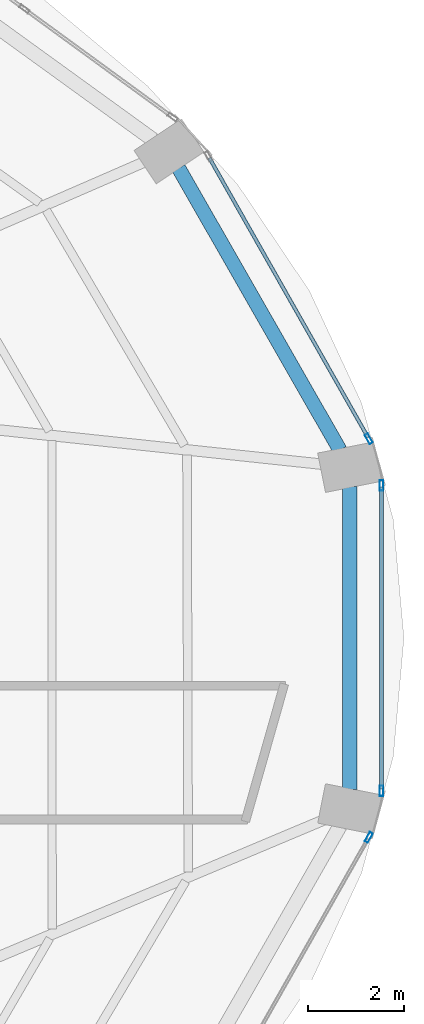
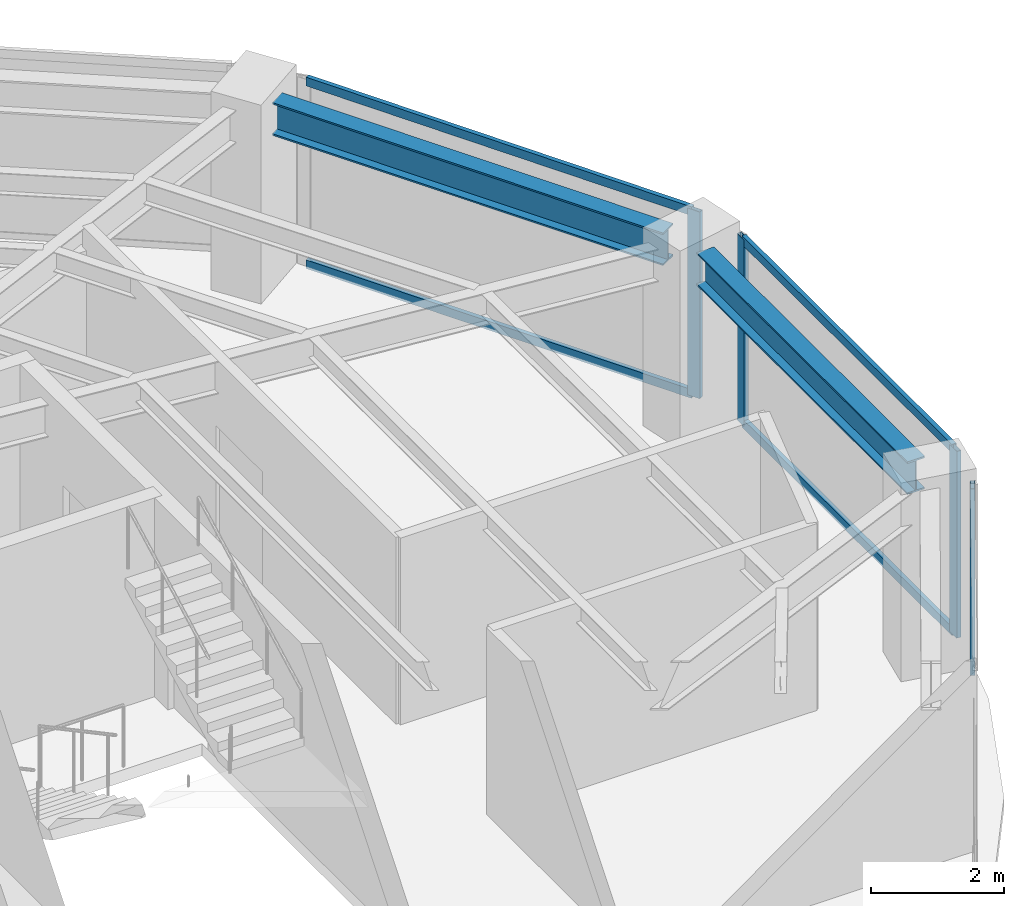
# One storey, part 14 of 24: 8 members, 2 beams, 3 elements without a shape of their own.
"""IFC4 building model written with IfcOpenShell, lengths in metres."""

import ifcopenshell
import ifcopenshell.guid

model = None  # the IFC model being written
_history = None  # IfcOwnerHistory: only IFC2X3 demands one
_inside = {}  # id of a spatial element -> (the spatial element, [elements in it])
_under = {}  # id of a project, library or spatial element -> (it, [spatial elements below it])
_declared = {}  # id of a project -> (the project, [libraries it declares])
_typed = {}  # id of a type object -> (the type object, [elements of that type])
_made_of = {}  # id of a material, layer set ... -> (it, [elements and type objects made of it])


def new_model(schema):
    """Start an empty IFC model of exactly this schema.

    Asked for "IFC4X3", IfcOpenShell would pick the latest addendum, in which some entities
    have other attributes; the version numbers below select the first issue.
    IFC2X3 requires an IfcOwnerHistory on every rooted entity: one is made here for all.
    """
    global model, _history
    if schema == "IFC4X3":
        model = ifcopenshell.file(schema_version=(4, 3, 0, 0))
    else:
        model = ifcopenshell.file(schema=schema)
    _inside.clear()
    _under.clear()
    _declared.clear()
    _typed.clear()
    _made_of.clear()
    _history = None
    if model.schema == "IFC2X3":
        org = make("IfcOrganization", Name="unknown")
        user = make(
            "IfcPersonAndOrganization",
            ThePerson=make("IfcPerson", FamilyName="unknown"),
            TheOrganization=org,
        )
        app = make(
            "IfcApplication",
            ApplicationDeveloper=org,
            Version="unknown",
            ApplicationFullName="unknown",
            ApplicationIdentifier="unknown",
        )
        _history = make(
            "IfcOwnerHistory",
            OwningUser=user,
            OwningApplication=app,
            ChangeAction="ADDED",
            CreationDate=0,
        )
    return model


def make(cls, **values):
    """One entity of the class cls with the attributes given. An attribute that is None is left unset."""
    return model.create_entity(
        cls, **{name: value for name, value in values.items() if value is not None}
    )


def rooted(cls, **values):
    """An entity with a GlobalId (a new one), such as an element, a storey or a relation."""
    return make(cls, GlobalId=ifcopenshell.guid.new(), OwnerHistory=_history, **values)


def si_unit(unit_type, name, prefix=None):
    """IfcSIUnit, for example si_unit("LENGTHUNIT", "METRE", prefix="MILLI")."""
    return make("IfcSIUnit", UnitType=unit_type, Prefix=prefix, Name=name)


def assignment(units):
    """IfcUnitAssignment: the units of a project."""
    return None if units is None else make("IfcUnitAssignment", Units=units)


def point(xyz):
    """IfcCartesianPoint."""
    return None if xyz is None else make("IfcCartesianPoint", Coordinates=xyz)


def direction(xyz):
    """IfcDirection."""
    return None if xyz is None else make("IfcDirection", DirectionRatios=xyz)


def frame(location, z_axis=None, x_axis=None):
    """IfcAxis2Placement3D, a coordinate frame: its origin and axes. An axis left out is left unset."""
    return make(
        "IfcAxis2Placement3D",
        Location=point(location),
        Axis=direction(z_axis),
        RefDirection=direction(x_axis),
    )


def frame_2d(location, x_axis=None):
    """IfcAxis2Placement2D, a coordinate frame in the plane: its origin and x axis."""
    return make(
        "IfcAxis2Placement2D", Location=point(location), RefDirection=direction(x_axis)
    )


def origin():
    """The frame at (0, 0, 0) with its axes left unset."""
    return frame((0.0, 0.0, 0.0))


def origin_2d():
    """The frame at (0, 0) in the plane with its x axis left unset."""
    return frame_2d((0.0, 0.0))


def place(relative_to, where):
    """IfcLocalPlacement: puts the frame where relative to a parent placement (None: the world)."""
    return make(
        "IfcLocalPlacement", PlacementRelTo=relative_to, RelativePlacement=where
    )


def context(
    kind, dimensions, precision=None, world=None, true_north=None, identifier=None
):
    """IfcGeometricRepresentationContext, for example the 3D "Model" context."""
    return make(
        "IfcGeometricRepresentationContext",
        ContextIdentifier=identifier,
        ContextType=kind,
        CoordinateSpaceDimension=dimensions,
        Precision=precision,
        WorldCoordinateSystem=world,
        TrueNorth=true_north,
    )


def subcontext(parent, identifier, kind, view, scale=None):
    """IfcGeometricRepresentationSubContext, for example "Body" below "Model"."""
    return make(
        "IfcGeometricRepresentationSubContext",
        ContextIdentifier=identifier,
        ContextType=kind,
        ParentContext=parent,
        TargetScale=scale,
        TargetView=view,
    )


def project(units=None, contexts=None):
    """IfcProject with its units and contexts."""
    return rooted(
        "IfcProject",
        Name="project",
        RepresentationContexts=contexts,
        UnitsInContext=assignment(units),
    )


def spatial(cls, under=None, at=None, **own):
    """A site, building, storey or space (cls), placed at a placement, below another one or the project."""
    s = rooted(cls, ObjectPlacement=at, **own)
    if under is not None:
        _under.setdefault(under.id(), (under, []))[1].append(s)
    return s


def profile(cls, at=None, kind="AREA", **sizes):
    """A parametric profile (cls). Its sizes go by their IFC names, for example OverallWidth=200.0."""
    return make(cls, ProfileType=kind, Position=at, **sizes)


def hollow_rectangle(**sizes):
    """IfcRectangleHollowProfileDef."""
    return profile("IfcRectangleHollowProfileDef", **sizes)


def i_section(**sizes):
    """IfcIShapeProfileDef."""
    return profile("IfcIShapeProfileDef", **sizes)


def extrude(swept, where, along, depth):
    """IfcExtrudedAreaSolid: the profile swept, set in the frame where, extruded along a direction by depth."""
    return make(
        "IfcExtrudedAreaSolid",
        SweptArea=swept,
        Position=where,
        ExtrudedDirection=direction(along),
        Depth=depth,
    )


def shape(context_of_items, identifier, shape_type, items):
    """IfcShapeRepresentation: the items that make up one representation, for example the "Body"."""
    return make(
        "IfcShapeRepresentation",
        ContextOfItems=context_of_items,
        RepresentationIdentifier=identifier,
        RepresentationType=shape_type,
        Items=items,
    )


def material(Name=None, Category=None):
    """IfcMaterial."""
    return make("IfcMaterial", Name=Name, Category=Category)


def layer(
    of_material, thickness, ventilated=None, Name=None, Category=None, Priority=None
):
    """IfcMaterialLayer: one layer of a wall or slab, of a material (None: an air gap)."""
    return make(
        "IfcMaterialLayer",
        Material=of_material,
        LayerThickness=thickness,
        IsVentilated=ventilated,
        Name=Name,
        Category=Category,
        Priority=Priority,
    )


def layer_set(layers, Name=None):
    """IfcMaterialLayerSet."""
    return make("IfcMaterialLayerSet", MaterialLayers=layers, LayerSetName=Name)


def material_profile(
    of_material, cross_section, Name=None, Category=None, Priority=None
):
    """IfcMaterialProfile: a cross section and its material."""
    return make(
        "IfcMaterialProfile",
        Name=Name,
        Material=of_material,
        Profile=cross_section,
        Priority=Priority,
        Category=Category,
    )


def profile_set(profiles, Name=None, composite=None):
    """IfcMaterialProfileSet."""
    return make(
        "IfcMaterialProfileSet",
        Name=Name,
        MaterialProfiles=profiles,
        CompositeProfile=composite,
    )


def made_of(thing, what):
    """Note that an element or type object is made of a material, layer set ...; save() writes the relation."""
    if what is not None:
        _made_of.setdefault(what.id(), (what, []))[1].append(thing)
    return thing


def type_object(cls, material=None, **own):
    """A type object (cls), such as IfcWallType, which elements share."""
    return made_of(rooted(cls, **own), material)


def element(
    cls,
    number,
    at=None,
    inside=None,
    cuts=None,
    type_object=None,
    material=None,
    context=None,
    identifier="Body",
    shape_type=None,
    held_by="IfcProductDefinitionShape",
    body=None,
    shapes=None,
    **own,
):
    """One element of the class cls, such as IfcWall. Its Tag is "e" and its number.

    at: its placement. inside: the storey or other place that contains it. cuts: it is an
    opening in that element (IfcRelVoidsElement). A single representation is given by context,
    identifier, shape_type and body (its items); several are given by shapes. held_by: the class
    of the entity that holds the representations. save() writes the other relations.
    """
    e = rooted(cls, Tag="e%d" % number, ObjectPlacement=at, **own)
    if body is not None:
        shapes = [shape(context, identifier, shape_type, body)]
    if shapes is not None:
        e.Representation = make(held_by, Representations=shapes)
    if inside is not None:
        _inside.setdefault(inside.id(), (inside, []))[1].append(e)
    if cuts is not None:
        rooted(
            "IfcRelVoidsElement", RelatingBuildingElement=cuts, RelatedOpeningElement=e
        )
    if type_object is not None:
        _typed.setdefault(type_object.id(), (type_object, []))[1].append(e)
    return made_of(e, material)


def aggregate(whole, parts):
    """IfcRelAggregates: a whole, such as a stair, and the parts it consists of."""
    return rooted("IfcRelAggregates", RelatingObject=whole, RelatedObjects=parts)


def save(model, path):
    """Write the relations noted so far, then the file.

    IfcRelAggregates (storeys below a building ...), IfcRelContainedInSpatialStructure (elements
    in a storey), IfcRelDefinesByType, IfcRelAssociatesMaterial and IfcRelDeclares: one each for
    every whole, place, type object, material and project.
    """
    for whole, parts in _under.values():
        aggregate(whole, parts)
    for where, things in _inside.values():
        rooted(
            "IfcRelContainedInSpatialStructure",
            RelatedElements=things,
            RelatingStructure=where,
        )
    for kind, things in _typed.values():
        rooted("IfcRelDefinesByType", RelatedObjects=things, RelatingType=kind)
    for what, things in _made_of.values():
        rooted("IfcRelAssociatesMaterial", RelatedObjects=things, RelatingMaterial=what)
    for by, libraries in _declared.values():
        rooted("IfcRelDeclares", RelatingContext=by, RelatedDefinitions=libraries)
    model.write(path)


model = new_model("IFC4")

# Units and contexts
model_context = context("Model", 3, precision=1e-05, world=origin(), true_north=direction((0.0, 1.0)))
body_context = subcontext(model_context, "Body", "Model", "MODEL_VIEW")
ifc_project = project(units=[si_unit("LENGTHUNIT", "METRE"), si_unit("AREAUNIT", "SQUARE_METRE"), si_unit("VOLUMEUNIT", "CUBIC_METRE"), si_unit("PLANEANGLEUNIT", "RADIAN"), si_unit("MASSUNIT", "GRAM", prefix="KILO")], contexts=[model_context])

# Site, building, storey
site_placement = place(None, origin())
site = spatial("IfcSite", under=ifc_project, at=site_placement, CompositionType="ELEMENT")
building_placement = place(site_placement, origin())
building = spatial("IfcBuilding", under=site, at=building_placement, Name="Lazwardi Medical Tower", CompositionType="ELEMENT")
storey_placement = place(building_placement, frame((0.0, 0.0, 110.927978515625)))
storey = spatial("IfcBuildingStorey", under=building, at=storey_placement, Name="L28", CompositionType="ELEMENT", Elevation=110.927978515625)

# Beams
ifc_material_1 = material(Name="Steel S355", Category="steel")
ifc_material_profile_1 = material_profile(ifc_material_1, i_section(OverallWidth=0.300048828125, OverallDepth=0.60009765625, WebThickness=0.015380859375, FlangeThickness=0.030029296875, at=origin_2d()), Name="HEB 600")
ifc_profile_set_1 = profile_set([ifc_material_profile_1], Name="Steel S355")
beam_type = type_object("IfcBeamType", Name="BM-RB-Z2", PredefinedType="BEAM", material=ifc_profile_set_1)
beam_1_placement = place(storey_placement, frame((60.86279296875, 27.22998046875, 3.1279296875), z_axis=(0.0, 1.0, 0.0), x_axis=(-1.0, 0.0, 0.0)))
element("IfcBeam", 1, at=beam_1_placement, inside=storey, type_object=beam_type, Name="Ring beam RB-03 B04 L28", PredefinedType="BEAM", context=body_context, shape_type="SweptSolid", body=[
    extrude(i_section(OverallWidth=0.300048828125, OverallDepth=0.60009765625, WebThickness=0.015380859375, FlangeThickness=0.030029296875, at=origin_2d()), origin(), (0.0, 0.0, 1.0), 6.33984375),
])
beam_2_placement = place(storey_placement, frame((60.6591796875, 34.335693359375, 3.1279296875), z_axis=(-0.496637551254, 0.867958030486, 0.0), x_axis=(-0.867958030486, -0.496637551254, 0.0)))
element("IfcBeam", 2, at=beam_2_placement, inside=storey, type_object=beam_type, Name="Ring beam RB-03 B05 L28", PredefinedType="BEAM", context=body_context, shape_type="SweptSolid", body=[
    extrude(i_section(OverallWidth=0.300048828125, OverallDepth=0.60009765625, WebThickness=0.015380859375, FlangeThickness=0.030029296875, at=origin_2d()), origin(), (0.0, 0.0, 1.0), 6.801025390625),
])

# Curtain wall, member
ifc_material_2 = material(Name="Anodised bronze aluminium and solar control glazing", Category="aluminium")
ifc_layer = layer(ifc_material_2, 0.195068359375)
ifc_layer_set = layer_set([ifc_layer], Name="Anodised bronze aluminium and solar control glazing")
curtain_wall_type = type_object("IfcCurtainWallType", Name="CW-SYS-03", PredefinedType="NOTDEFINED", material=ifc_layer_set)
curtain_wall_1_placement = place(storey_placement, origin())
curtain_wall_1 = element("IfcCurtainWall", 3, at=curtain_wall_1_placement, inside=storey, type_object=curtain_wall_type, Name="L28 Unitised bronze curtain wall CW-03", PredefinedType="NOTDEFINED")
ifc_material_3 = material(Name="Anodised bronze aluminium", Category="aluminium")
ifc_material_profile_2 = material_profile(ifc_material_3, hollow_rectangle(XDim=0.074951171875, YDim=0.219970703125, WallThickness=0.00390625, at=origin_2d()), Name="ALU-MULLION 220x75x4")
ifc_profile_set_2 = profile_set([ifc_material_profile_2], Name="Anodised bronze aluminium")
member_type_1 = type_object("IfcMemberType", Name="CW-MUL-01", PredefinedType="MULLION", material=ifc_profile_set_2)
member_1_placement = place(storey_placement, frame((61.2626953125, 26.22607421875, 0.0), z_axis=(0.0, 0.0, 1.0), x_axis=(-0.869687265712, 0.493603140041, 0.0)))
member_1 = element("IfcMember", 4, at=member_1_placement, type_object=member_type_1, Name="CW-03 mullion 2", PredefinedType="MULLION", context=body_context, shape_type="SweptSolid", body=[
    extrude(hollow_rectangle(XDim=0.074951171875, YDim=0.219970703125, WallThickness=0.00390625, at=origin_2d()), origin(), (0.0, 0.0, 1.0), 3.427978515625),
])
aggregate(curtain_wall_1, [member_1])

# Curtain wall, members
curtain_wall_2_placement = place(storey_placement, origin())
curtain_wall_2 = element("IfcCurtainWall", 5, at=curtain_wall_2_placement, inside=storey, type_object=curtain_wall_type, Name="L28 Unitised bronze curtain wall CW-03", PredefinedType="NOTDEFINED")
member_2_placement = place(storey_placement, frame((61.528076171875, 27.20263671875, 0.0), z_axis=(0.0, 0.0, 1.0), x_axis=(-1.0, 0.0, 0.0)))
member_2 = element("IfcMember", 6, at=member_2_placement, type_object=member_type_1, Name="CW-03 mullion 1", PredefinedType="MULLION", context=body_context, shape_type="SweptSolid", body=[
    extrude(hollow_rectangle(XDim=0.074951171875, YDim=0.219970703125, WallThickness=0.00390625, at=origin_2d()), origin(), (0.0, 0.0, 1.0), 3.427978515625),
])
member_3_placement = place(storey_placement, frame((61.528076171875, 33.597412109375, 0.0), z_axis=(0.0, 0.0, 1.0), x_axis=(-1.0, 0.0, 0.0)))
member_3 = element("IfcMember", 7, at=member_3_placement, type_object=member_type_1, Name="CW-03 mullion 2", PredefinedType="MULLION", context=body_context, shape_type="SweptSolid", body=[
    extrude(hollow_rectangle(XDim=0.074951171875, YDim=0.219970703125, WallThickness=0.00390625, at=origin_2d()), origin(), (0.0, 0.0, 1.0), 3.427978515625),
])

# Curtain wall, member
curtain_wall_3_placement = place(storey_placement, origin())
curtain_wall_3 = element("IfcCurtainWall", 8, at=curtain_wall_3_placement, inside=storey, type_object=curtain_wall_type, Name="L28 Unitised bronze curtain wall CW-03", PredefinedType="NOTDEFINED")
member_4_placement = place(storey_placement, frame((61.2626953125, 34.57373046875, 0.0), z_axis=(0.0, 0.0, 1.0), x_axis=(-0.869687265712, -0.493603140041, 0.0)))
member_4 = element("IfcMember", 9, at=member_4_placement, type_object=member_type_1, Name="CW-03 mullion 1", PredefinedType="MULLION", context=body_context, shape_type="SweptSolid", body=[
    extrude(hollow_rectangle(XDim=0.074951171875, YDim=0.219970703125, WallThickness=0.00390625, at=origin_2d()), origin(), (0.0, 0.0, 1.0), 3.427978515625),
])

# Member
ifc_material_profile_3 = material_profile(ifc_material_3, hollow_rectangle(XDim=0.074951171875, YDim=0.159912109375, WallThickness=0.00390625, at=origin_2d()), Name="ALU-TRANSOM 160x75x4")
ifc_profile_set_3 = profile_set([ifc_material_profile_3], Name="Anodised bronze aluminium")
member_type_2 = type_object("IfcMemberType", Name="CW-TRN-01", PredefinedType="USERDEFINED", material=ifc_profile_set_3)
member_5_placement = place(storey_placement, frame((61.528076171875, 27.239990234375, 0.03759765625), z_axis=(0.0, 1.0, 0.0), x_axis=(-1.0, 0.0, 0.0)))
member_5 = element("IfcMember", 10, at=member_5_placement, type_object=member_type_2, Name="CW-03 transom 1.1", ObjectType="TRANSOM", PredefinedType="USERDEFINED", context=body_context, shape_type="SweptSolid", body=[
    extrude(hollow_rectangle(XDim=0.074951171875, YDim=0.159912109375, WallThickness=0.00390625, at=origin_2d()), origin(), (0.0, 0.0, 1.0), 6.31982421875),
])

member_6_placement = place(storey_placement, frame((61.528076171875, 27.239990234375, 3.390625), z_axis=(0.0, 1.0, 0.0), x_axis=(-1.0, 0.0, 0.0)))
member_6 = element("IfcMember", 11, at=member_6_placement, type_object=member_type_2, Name="CW-03 transom 1.2", ObjectType="TRANSOM", PredefinedType="USERDEFINED", context=body_context, shape_type="SweptSolid", body=[
    extrude(hollow_rectangle(XDim=0.074951171875, YDim=0.159912109375, WallThickness=0.00390625, at=origin_2d()), origin(), (0.0, 0.0, 1.0), 6.31982421875),
])

aggregate(curtain_wall_2, [member_2, member_3, member_5, member_6])

member_7_placement = place(storey_placement, frame((61.244140625, 34.6064453125, 0.03759765625), z_axis=(-0.493614427365, 0.869680859337, 0.0), x_axis=(-0.869680859337, -0.493614427365, 0.0)))
member_7 = element("IfcMember", 12, at=member_7_placement, type_object=member_type_2, Name="CW-03 transom 1.1", ObjectType="TRANSOM", PredefinedType="USERDEFINED", context=body_context, shape_type="SweptSolid", body=[
    extrude(hollow_rectangle(XDim=0.074951171875, YDim=0.159912109375, WallThickness=0.00390625, at=origin_2d()), origin(), (0.0, 0.0, 1.0), 6.72314453125),
])

member_8_placement = place(storey_placement, frame((61.244140625, 34.6064453125, 3.390625), z_axis=(-0.493614427365, 0.869680859337, 0.0), x_axis=(-0.869680859337, -0.493614427365, 0.0)))
member_8 = element("IfcMember", 13, at=member_8_placement, type_object=member_type_2, Name="CW-03 transom 1.2", ObjectType="TRANSOM", PredefinedType="USERDEFINED", context=body_context, shape_type="SweptSolid", body=[
    extrude(hollow_rectangle(XDim=0.074951171875, YDim=0.159912109375, WallThickness=0.00390625, at=origin_2d()), origin(), (0.0, 0.0, 1.0), 6.72314453125),
])

aggregate(curtain_wall_3, [member_4, member_7, member_8])

save(model, "model.ifc")
